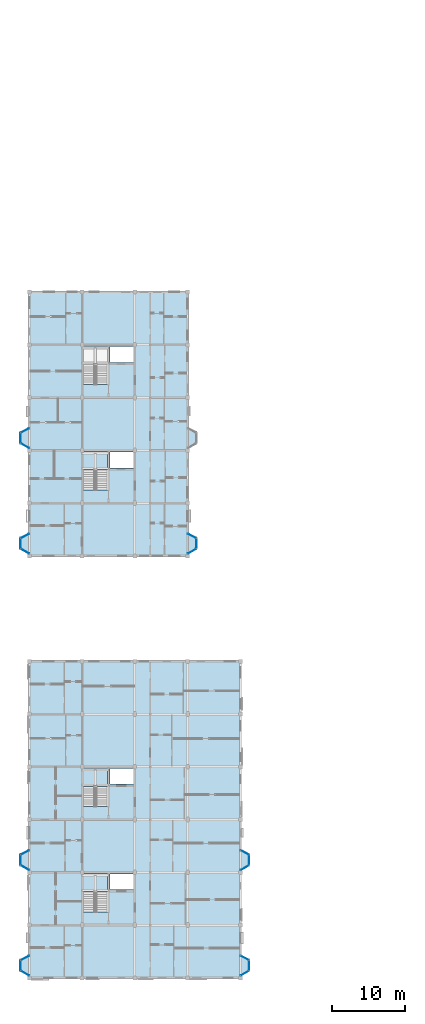
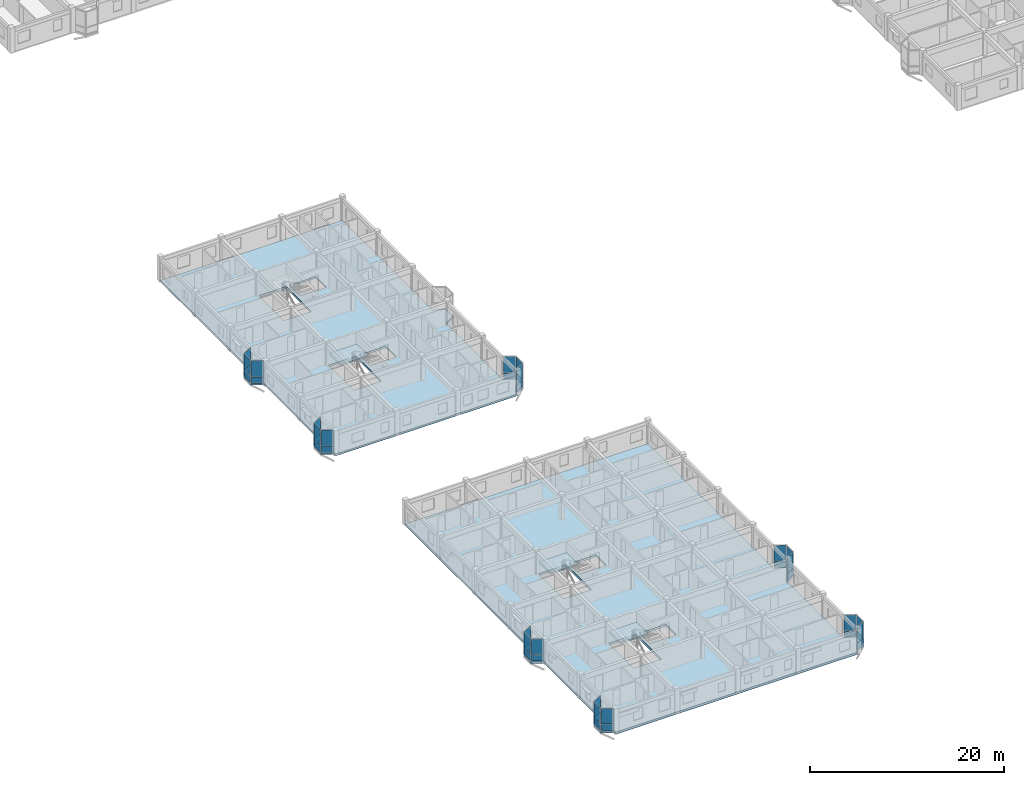
# One storey, part 46 of 77: 42 plates, 5 slabs, 24 elements without a shape of their own.
"""IFC4 building model written with IfcOpenShell, lengths in metres."""

from ifc_helpers import new_model, si_unit, direction, frame, origin, origin_2d, place, context, subcontext, project, spatial, polyline, rectangle, outline, extrude, material, layer, layer_set, type_object, element, aggregate, save


model = new_model("IFC4")

# Units and contexts
model_context = context("Model", 3, precision=1e-05, world=origin(), true_north=direction((0.0, 1.0)))
body_context = subcontext(model_context, "Body", "Model", "MODEL_VIEW")
ifc_project = project(units=[si_unit("LENGTHUNIT", "METRE"), si_unit("AREAUNIT", "SQUARE_METRE"), si_unit("VOLUMEUNIT", "CUBIC_METRE"), si_unit("PLANEANGLEUNIT", "RADIAN"), si_unit("MASSUNIT", "GRAM", prefix="KILO"), si_unit("THERMODYNAMICTEMPERATUREUNIT", "KELVIN"), si_unit("POWERUNIT", "WATT")], contexts=[model_context])

# Site, building, storey
site_placement = place(None, origin())
site = spatial("IfcSite", under=ifc_project, at=site_placement, CompositionType="ELEMENT")
building_placement = place(site_placement, origin())
building = spatial("IfcBuilding", under=site, at=building_placement, Name="Tavuni Mirador Residences", CompositionType="ELEMENT")
storey_placement = place(building_placement, frame((0.0, 0.0, 10.800048828125)))
storey = spatial("IfcBuildingStorey", under=building, at=storey_placement, Name="L03", CompositionType="ELEMENT", Elevation=10.800048828125)

# Curtain wall, plate
ifc_material_1 = material(Name="Anodised aluminium", Category="aluminium")
ifc_layer_1 = layer(ifc_material_1, 0.1650390625, Name="Anodised aluminium", Category="aluminium")
ifc_layer_set_1 = layer_set([ifc_layer_1], Name="Anodised aluminium")
curtain_wall_type_1 = type_object("IfcCurtainWallType", Name="CWT-MIR-A", PredefinedType="NOTDEFINED", material=ifc_layer_set_1)
curtain_wall_1_placement = place(storey_placement, origin())
curtain_wall_1 = element("IfcCurtainWall", 1, at=curtain_wall_1_placement, inside=storey, type_object=curtain_wall_type_1, Name="CW-MIR-A-E2-L03-M1", PredefinedType="NOTDEFINED")
ifc_material_2 = material(Name="Laminated solar-control glass", Category="glass")
ifc_layer_2 = layer(ifc_material_2, 0.02392578125, Name="Laminated solar-control glass", Category="glass")
ifc_layer_set_2 = layer_set([ifc_layer_2], Name="Laminated solar-control glass")
plate_type_1 = type_object("IfcPlateType", Name="CWP-GL24", PredefinedType="CURTAIN_PANEL", material=ifc_layer_set_2)
plate_1_placement = place(storey_placement, frame((33.0, 22.217529296875, 0.8798828125), z_axis=(0.0, 0.0, 1.0), x_axis=(0.868465738194, 0.495749192217, 0.0)))
plate_1 = element("IfcPlate", 2, at=plate_1_placement, type_object=plate_type_1, Name="CW-01 panel 1.2", PredefinedType="CURTAIN_PANEL", context=body_context, shape_type="SweptSolid", body=[
    extrude(rectangle(XDim=1.26171875, YDim=0.02392578125, at=origin_2d()), origin(), (0.0, 0.0, 1.0), 1.929931640625),
])

curtain_wall_2_placement = place(storey_placement, origin())
curtain_wall_2 = element("IfcCurtainWall", 3, at=curtain_wall_2_placement, inside=storey, type_object=curtain_wall_type_1, Name="CW-MIR-A-W2-L03-MF", PredefinedType="NOTDEFINED")
plate_2_placement = place(storey_placement, frame((2.39990234375, 23.27001953125, 0.8798828125), z_axis=(0.0, 0.0, 1.0), x_axis=(0.0, -1.0, 0.0)))
plate_2 = element("IfcPlate", 4, at=plate_2_placement, type_object=plate_type_1, Name="CW-01 panel 1.2", PredefinedType="CURTAIN_PANEL", context=body_context, shape_type="SweptSolid", body=[
    extrude(rectangle(XDim=1.300048828125, YDim=0.02392578125, at=origin_2d()), origin(), (0.0, 0.0, 1.0), 1.929931640625),
])

curtain_wall_3_placement = place(storey_placement, origin())
curtain_wall_3 = element("IfcCurtainWall", 5, at=curtain_wall_3_placement, inside=storey, type_object=curtain_wall_type_1, Name="CW-MIR-A-W1-L03-M2", PredefinedType="NOTDEFINED")
plate_3_placement = place(storey_placement, frame((3.0, 7.8173828125, 0.8798828125), z_axis=(0.0, 0.0, 1.0), x_axis=(0.868465738194, -0.495749192217, 0.0)))
plate_3 = element("IfcPlate", 6, at=plate_3_placement, type_object=plate_type_1, Name="CW-01 panel 1.2", PredefinedType="CURTAIN_PANEL", context=body_context, shape_type="SweptSolid", body=[
    extrude(rectangle(XDim=1.26171875, YDim=0.02392578125, at=origin_2d()), origin(), (0.0, 0.0, 1.0), 1.929931640625),
])

curtain_wall_4_placement = place(storey_placement, origin())
curtain_wall_4 = element("IfcCurtainWall", 7, at=curtain_wall_4_placement, inside=storey, type_object=curtain_wall_type_1, Name="CW-MIR-B-E1-L03-M1", PredefinedType="NOTDEFINED")
plate_4_placement = place(storey_placement, frame((25.800048828125, 65.41748046875, 0.8798828125), z_axis=(0.0, 0.0, 1.0), x_axis=(0.868465738194, 0.495749192217, 0.0)))
plate_4 = element("IfcPlate", 8, at=plate_4_placement, type_object=plate_type_1, Name="CW-01 panel 1.2", PredefinedType="CURTAIN_PANEL", context=body_context, shape_type="SweptSolid", body=[
    extrude(rectangle(XDim=1.26171875, YDim=0.02392578125, at=origin_2d()), origin(), (0.0, 0.0, 1.0), 1.969970703125),
])

curtain_wall_5_placement = place(storey_placement, origin())
curtain_wall_5 = element("IfcCurtainWall", 9, at=curtain_wall_5_placement, inside=storey, type_object=curtain_wall_type_1, Name="CW-MIR-B-W2-L03-M2", PredefinedType="NOTDEFINED")
plate_5_placement = place(storey_placement, frame((3.0, 79.8173828125, 0.8798828125), z_axis=(0.0, 0.0, 1.0), x_axis=(0.868465738194, -0.495749192217, 0.0)))
plate_5 = element("IfcPlate", 10, at=plate_5_placement, type_object=plate_type_1, Name="CW-01 panel 1.2", PredefinedType="CURTAIN_PANEL", context=body_context, shape_type="SweptSolid", body=[
    extrude(rectangle(XDim=1.26171875, YDim=0.02392578125, at=origin_2d()), origin(), (0.0, 0.0, 1.0), 1.969970703125),
])

ifc_layer_3 = layer(ifc_material_1, 0.14990234375, Name="Anodised aluminium", Category="aluminium")
ifc_layer_set_3 = layer_set([ifc_layer_3], Name="Anodised aluminium")
curtain_wall_type_2 = type_object("IfcCurtainWallType", Name="CWT-MIR-B", PredefinedType="NOTDEFINED", material=ifc_layer_set_3)
curtain_wall_6_placement = place(storey_placement, origin())
curtain_wall_6 = element("IfcCurtainWall", 11, at=curtain_wall_6_placement, inside=storey, type_object=curtain_wall_type_2, Name="CW-MIR-A-E1-L03-M1", PredefinedType="NOTDEFINED")
ifc_layer_4 = layer(ifc_material_2, 0.028076171875, Name="Laminated solar-control glass", Category="glass")
ifc_layer_set_4 = layer_set([ifc_layer_4], Name="Laminated solar-control glass")
plate_type_2 = type_object("IfcPlateType", Name="CWP-GL28", PredefinedType="CURTAIN_PANEL", material=ifc_layer_set_4)
plate_6_placement = place(storey_placement, frame((33.0, 7.8173828125, 0.88232421875), z_axis=(0.0, 0.0, 1.0), x_axis=(0.868465738194, 0.495749192217, 0.0)))
plate_6 = element("IfcPlate", 12, at=plate_6_placement, type_object=plate_type_2, Name="CW-02 panel 1.2", PredefinedType="CURTAIN_PANEL", context=body_context, shape_type="SweptSolid", body=[
    extrude(rectangle(XDim=1.251708984375, YDim=0.028076171875, at=origin_2d()), origin(), (0.0, 0.0, 1.0), 1.922607421875),
])

curtain_wall_7_placement = place(storey_placement, origin())
curtain_wall_7 = element("IfcCurtainWall", 13, at=curtain_wall_7_placement, inside=storey, type_object=curtain_wall_type_2, Name="CW-MIR-A-E2-L03-MF", PredefinedType="NOTDEFINED")
plate_7_placement = place(storey_placement, frame((33.60009765625, 23.27001953125, 0.88232421875), z_axis=(0.0, 0.0, 1.0), x_axis=(0.0, 1.0, 0.0)))
plate_7 = element("IfcPlate", 14, at=plate_7_placement, type_object=plate_type_2, Name="CW-02 panel 1.2", PredefinedType="CURTAIN_PANEL", context=body_context, shape_type="SweptSolid", body=[
    extrude(rectangle(XDim=1.2900390625, YDim=0.028076171875, at=origin_2d()), origin(), (0.0, 0.0, 1.0), 1.922607421875),
])

curtain_wall_8_placement = place(storey_placement, origin())
curtain_wall_8 = element("IfcCurtainWall", 15, at=curtain_wall_8_placement, inside=storey, type_object=curtain_wall_type_2, Name="CW-MIR-A-W2-L03-M2", PredefinedType="NOTDEFINED")
plate_8_placement = place(storey_placement, frame((3.0, 22.217529296875, 0.88232421875), z_axis=(0.0, 0.0, 1.0), x_axis=(0.868465738194, -0.495749192217, 0.0)))
plate_8 = element("IfcPlate", 16, at=plate_8_placement, type_object=plate_type_2, Name="CW-02 panel 1.2", PredefinedType="CURTAIN_PANEL", context=body_context, shape_type="SweptSolid", body=[
    extrude(rectangle(XDim=1.251708984375, YDim=0.028076171875, at=origin_2d()), origin(), (0.0, 0.0, 1.0), 1.922607421875),
])

curtain_wall_9_placement = place(storey_placement, origin())
curtain_wall_9 = element("IfcCurtainWall", 17, at=curtain_wall_9_placement, inside=storey, type_object=curtain_wall_type_2, Name="CW-MIR-B-E1-L03-MF", PredefinedType="NOTDEFINED")
plate_9_placement = place(storey_placement, frame((26.39990234375, 66.469970703125, 0.882568359375), z_axis=(0.0, 0.0, 1.0), x_axis=(0.0, 1.0, 0.0)))
plate_9 = element("IfcPlate", 18, at=plate_9_placement, type_object=plate_type_2, Name="CW-02 panel 1.2", PredefinedType="CURTAIN_PANEL", context=body_context, shape_type="SweptSolid", body=[
    extrude(rectangle(XDim=1.2900390625, YDim=0.028076171875, at=origin_2d()), origin(), (0.0, 0.0, 1.0), 1.96240234375),
])

curtain_wall_10_placement = place(storey_placement, origin())
curtain_wall_10 = element("IfcCurtainWall", 19, at=curtain_wall_10_placement, inside=storey, type_object=curtain_wall_type_2, Name="CW-MIR-B-W1-L03-M1", PredefinedType="NOTDEFINED")
plate_10_placement = place(storey_placement, frame((3.0, 67.5, 0.882568359375), z_axis=(0.0, 0.0, 1.0), x_axis=(-0.882352941175, -0.470588235296, 0.0)))
plate_10 = element("IfcPlate", 20, at=plate_10_placement, type_object=plate_type_2, Name="CW-02 panel 1.2", PredefinedType="CURTAIN_PANEL", context=body_context, shape_type="SweptSolid", body=[
    extrude(rectangle(XDim=1.22998046875, YDim=0.028076171875, at=origin_2d()), origin(), (0.0, 0.0, 1.0), 1.96240234375),
])

ifc_layer_5 = layer(ifc_material_1, 0.175048828125, Name="Anodised aluminium", Category="aluminium")
ifc_layer_set_5 = layer_set([ifc_layer_5], Name="Anodised aluminium")
curtain_wall_type_3 = type_object("IfcCurtainWallType", Name="CWT-MIR-C", PredefinedType="NOTDEFINED", material=ifc_layer_set_5)
curtain_wall_11_placement = place(storey_placement, origin())
curtain_wall_11 = element("IfcCurtainWall", 21, at=curtain_wall_11_placement, inside=storey, type_object=curtain_wall_type_3, Name="CW-MIR-A-E1-L03-MF", PredefinedType="NOTDEFINED")
ifc_layer_6 = layer(ifc_material_2, 0.031982421875, Name="Laminated solar-control glass", Category="glass")
ifc_layer_set_6 = layer_set([ifc_layer_6], Name="Laminated solar-control glass")
plate_type_3 = type_object("IfcPlateType", Name="CWP-GL32", PredefinedType="CURTAIN_PANEL", material=ifc_layer_set_6)
plate_11_placement = place(storey_placement, frame((33.60009765625, 8.8701171875, 0.8798828125), z_axis=(0.0, 0.0, 1.0), x_axis=(0.0, 1.0, 0.0)))
plate_11 = element("IfcPlate", 22, at=plate_11_placement, type_object=plate_type_3, Name="CW-03 panel 1.2", PredefinedType="CURTAIN_PANEL", context=body_context, shape_type="SweptSolid", body=[
    extrude(rectangle(XDim=1.300048828125, YDim=0.031982421875, at=origin_2d()), origin(), (0.0, 0.0, 1.0), 1.929931640625),
])

curtain_wall_12_placement = place(storey_placement, origin())
curtain_wall_12 = element("IfcCurtainWall", 23, at=curtain_wall_12_placement, inside=storey, type_object=curtain_wall_type_3, Name="CW-MIR-A-E2-L03-M2", PredefinedType="NOTDEFINED")
plate_12_placement = place(storey_placement, frame((33.0, 24.300048828125, 0.8798828125), z_axis=(0.0, 0.0, 1.0), x_axis=(-0.882352941175, 0.470588235296, 0.0)))
plate_12 = element("IfcPlate", 24, at=plate_12_placement, type_object=plate_type_3, Name="CW-03 panel 1.2", PredefinedType="CURTAIN_PANEL", context=body_context, shape_type="SweptSolid", body=[
    extrude(rectangle(XDim=1.239990234375, YDim=0.031982421875, at=origin_2d()), origin(), (0.0, 0.0, 1.0), 1.929931640625),
])

curtain_wall_13_placement = place(storey_placement, origin())
curtain_wall_13 = element("IfcCurtainWall", 25, at=curtain_wall_13_placement, inside=storey, type_object=curtain_wall_type_3, Name="CW-MIR-A-W1-L03-M1", PredefinedType="NOTDEFINED")
plate_13_placement = place(storey_placement, frame((3.0, 9.89990234375, 0.8798828125), z_axis=(0.0, 0.0, 1.0), x_axis=(-0.882352941175, -0.470588235296, 0.0)))
plate_13 = element("IfcPlate", 26, at=plate_13_placement, type_object=plate_type_3, Name="CW-03 panel 1.2", PredefinedType="CURTAIN_PANEL", context=body_context, shape_type="SweptSolid", body=[
    extrude(rectangle(XDim=1.239990234375, YDim=0.031982421875, at=origin_2d()), origin(), (0.0, 0.0, 1.0), 1.929931640625),
])

curtain_wall_14_placement = place(storey_placement, origin())
curtain_wall_14 = element("IfcCurtainWall", 27, at=curtain_wall_14_placement, inside=storey, type_object=curtain_wall_type_3, Name="CW-MIR-B-E1-L03-M2", PredefinedType="NOTDEFINED")
plate_14_placement = place(storey_placement, frame((25.800048828125, 67.5, 0.8798828125), z_axis=(0.0, 0.0, 1.0), x_axis=(-0.882352941175, 0.470588235296, 0.0)))
plate_14 = element("IfcPlate", 28, at=plate_14_placement, type_object=plate_type_3, Name="CW-03 panel 1.2", PredefinedType="CURTAIN_PANEL", context=body_context, shape_type="SweptSolid", body=[
    extrude(rectangle(XDim=1.239990234375, YDim=0.031982421875, at=origin_2d()), origin(), (0.0, 0.0, 1.0), 1.969970703125),
])

curtain_wall_15_placement = place(storey_placement, origin())
curtain_wall_15 = element("IfcCurtainWall", 29, at=curtain_wall_15_placement, inside=storey, type_object=curtain_wall_type_3, Name="CW-MIR-B-W2-L03-M1", PredefinedType="NOTDEFINED")
plate_15_placement = place(storey_placement, frame((3.0, 81.89990234375, 0.8798828125), z_axis=(0.0, 0.0, 1.0), x_axis=(-0.882352941175, -0.470588235296, 0.0)))
plate_15 = element("IfcPlate", 30, at=plate_15_placement, type_object=plate_type_3, Name="CW-03 panel 1.2", PredefinedType="CURTAIN_PANEL", context=body_context, shape_type="SweptSolid", body=[
    extrude(rectangle(XDim=1.239990234375, YDim=0.031982421875, at=origin_2d()), origin(), (0.0, 0.0, 1.0), 1.969970703125),
])

curtain_wall_16_placement = place(storey_placement, origin())
curtain_wall_16 = element("IfcCurtainWall", 31, at=curtain_wall_16_placement, inside=storey, type_object=curtain_wall_type_3, Name="CW-MIR-B-W1-L03-MF", PredefinedType="NOTDEFINED")
plate_16_placement = place(storey_placement, frame((2.39990234375, 66.469970703125, 0.8798828125), z_axis=(0.0, 0.0, 1.0), x_axis=(0.0, -1.0, 0.0)))
plate_16 = element("IfcPlate", 32, at=plate_16_placement, type_object=plate_type_3, Name="CW-03 panel 1.2", PredefinedType="CURTAIN_PANEL", context=body_context, shape_type="SweptSolid", body=[
    extrude(rectangle(XDim=1.300048828125, YDim=0.031982421875, at=origin_2d()), origin(), (0.0, 0.0, 1.0), 1.969970703125),
])

ifc_layer_7 = layer(ifc_material_1, 0.159912109375, Name="Anodised aluminium", Category="aluminium")
ifc_layer_set_7 = layer_set([ifc_layer_7], Name="Anodised aluminium")
curtain_wall_type_4 = type_object("IfcCurtainWallType", Name="CWT-MIR-D", PredefinedType="NOTDEFINED", material=ifc_layer_set_7)
curtain_wall_17_placement = place(storey_placement, origin())
curtain_wall_17 = element("IfcCurtainWall", 33, at=curtain_wall_17_placement, inside=storey, type_object=curtain_wall_type_4, Name="CW-MIR-A-E1-L03-M2", PredefinedType="NOTDEFINED")
ifc_layer_8 = layer(ifc_material_2, 0.035888671875, Name="Laminated solar-control glass", Category="glass")
ifc_layer_set_8 = layer_set([ifc_layer_8], Name="Laminated solar-control glass")
plate_type_4 = type_object("IfcPlateType", Name="CWP-GL36", PredefinedType="CURTAIN_PANEL", material=ifc_layer_set_8)
plate_17_placement = place(storey_placement, frame((33.0, 9.89990234375, 0.88232421875), z_axis=(0.0, 0.0, 1.0), x_axis=(-0.882352941175, 0.470588235296, 0.0)))
plate_17 = element("IfcPlate", 34, at=plate_17_placement, type_object=plate_type_4, Name="CW-04 panel 1.2", PredefinedType="CURTAIN_PANEL", context=body_context, shape_type="SweptSolid", body=[
    extrude(rectangle(XDim=1.22998046875, YDim=0.035888671875, at=origin_2d()), origin(), (0.0, 0.0, 1.0), 1.922607421875),
])

curtain_wall_18_placement = place(storey_placement, origin())
curtain_wall_18 = element("IfcCurtainWall", 35, at=curtain_wall_18_placement, inside=storey, type_object=curtain_wall_type_4, Name="CW-MIR-A-W2-L03-M1", PredefinedType="NOTDEFINED")
plate_18_placement = place(storey_placement, frame((3.0, 24.300048828125, 0.88232421875), z_axis=(0.0, 0.0, 1.0), x_axis=(-0.882352941175, -0.470588235296, 0.0)))
plate_18 = element("IfcPlate", 36, at=plate_18_placement, type_object=plate_type_4, Name="CW-04 panel 1.2", PredefinedType="CURTAIN_PANEL", context=body_context, shape_type="SweptSolid", body=[
    extrude(rectangle(XDim=1.22998046875, YDim=0.035888671875, at=origin_2d()), origin(), (0.0, 0.0, 1.0), 1.922607421875),
])

curtain_wall_19_placement = place(storey_placement, origin())
curtain_wall_19 = element("IfcCurtainWall", 37, at=curtain_wall_19_placement, inside=storey, type_object=curtain_wall_type_4, Name="CW-MIR-A-W1-L03-MF", PredefinedType="NOTDEFINED")
plate_19_placement = place(storey_placement, frame((2.39990234375, 8.8701171875, 0.88232421875), z_axis=(0.0, 0.0, 1.0), x_axis=(0.0, -1.0, 0.0)))
plate_19 = element("IfcPlate", 38, at=plate_19_placement, type_object=plate_type_4, Name="CW-04 panel 1.2", PredefinedType="CURTAIN_PANEL", context=body_context, shape_type="SweptSolid", body=[
    extrude(rectangle(XDim=1.2900390625, YDim=0.035888671875, at=origin_2d()), origin(), (0.0, 0.0, 1.0), 1.922607421875),
])

curtain_wall_20_placement = place(storey_placement, origin())
curtain_wall_20 = element("IfcCurtainWall", 39, at=curtain_wall_20_placement, inside=storey, type_object=curtain_wall_type_4, Name="CW-MIR-B-W2-L03-MF", PredefinedType="NOTDEFINED")
plate_20_placement = place(storey_placement, frame((2.39990234375, 80.8701171875, 0.882568359375), z_axis=(0.0, 0.0, 1.0), x_axis=(0.0, -1.0, 0.0)))
plate_20 = element("IfcPlate", 40, at=plate_20_placement, type_object=plate_type_4, Name="CW-04 panel 1.2", PredefinedType="CURTAIN_PANEL", context=body_context, shape_type="SweptSolid", body=[
    extrude(rectangle(XDim=1.2900390625, YDim=0.035888671875, at=origin_2d()), origin(), (0.0, 0.0, 1.0), 1.96240234375),
])

curtain_wall_21_placement = place(storey_placement, origin())
curtain_wall_21 = element("IfcCurtainWall", 41, at=curtain_wall_21_placement, inside=storey, type_object=curtain_wall_type_4, Name="CW-MIR-B-W1-L03-M2", PredefinedType="NOTDEFINED")
plate_21_placement = place(storey_placement, frame((3.0, 65.41748046875, 0.882568359375), z_axis=(0.0, 0.0, 1.0), x_axis=(0.868465738194, -0.495749192217, 0.0)))
plate_21 = element("IfcPlate", 42, at=plate_21_placement, type_object=plate_type_4, Name="CW-04 panel 1.2", PredefinedType="CURTAIN_PANEL", context=body_context, shape_type="SweptSolid", body=[
    extrude(rectangle(XDim=1.251708984375, YDim=0.035888671875, at=origin_2d()), origin(), (0.0, 0.0, 1.0), 1.96240234375),
])

# Plate
ifc_material_3 = material(Name="Ceramic trencadis mosaic panel", Category="masonry")
ifc_layer_9 = layer(ifc_material_3, 0.0419921875, Name="Ceramic trencadis mosaic panel", Category="masonry")
ifc_layer_set_9 = layer_set([ifc_layer_9], Name="Ceramic trencadis mosaic panel")
plate_type_5 = type_object("IfcPlateType", Name="CWP-SP42", PredefinedType="CURTAIN_PANEL", material=ifc_layer_set_9)
plate_22_placement = place(storey_placement, frame((33.60009765625, 8.8701171875, 0.06005859375), z_axis=(0.0, 0.0, 1.0), x_axis=(0.0, 1.0, 0.0)))
plate_22 = element("IfcPlate", 43, at=plate_22_placement, type_object=plate_type_5, Name="CW-03 panel 1.1", PredefinedType="CURTAIN_PANEL", context=body_context, shape_type="SweptSolid", body=[
    extrude(rectangle(XDim=1.300048828125, YDim=0.0419921875, at=origin_2d()), origin(), (0.0, 0.0, 1.0), 0.760009765625),
])

aggregate(curtain_wall_11, [plate_22, plate_11])

plate_23_placement = place(storey_placement, frame((33.0, 22.217529296875, 0.06005859375), z_axis=(0.0, 0.0, 1.0), x_axis=(0.868465738194, 0.495749192217, 0.0)))
plate_23 = element("IfcPlate", 44, at=plate_23_placement, type_object=plate_type_5, Name="CW-01 panel 1.1", PredefinedType="CURTAIN_PANEL", context=body_context, shape_type="SweptSolid", body=[
    extrude(rectangle(XDim=1.26171875, YDim=0.0419921875, at=origin_2d()), origin(), (0.0, 0.0, 1.0), 0.760009765625),
])

aggregate(curtain_wall_1, [plate_23, plate_1])

plate_24_placement = place(storey_placement, frame((33.0, 24.300048828125, 0.06005859375), z_axis=(0.0, 0.0, 1.0), x_axis=(-0.882352941175, 0.470588235296, 0.0)))
plate_24 = element("IfcPlate", 45, at=plate_24_placement, type_object=plate_type_5, Name="CW-03 panel 1.1", PredefinedType="CURTAIN_PANEL", context=body_context, shape_type="SweptSolid", body=[
    extrude(rectangle(XDim=1.239990234375, YDim=0.0419921875, at=origin_2d()), origin(), (0.0, 0.0, 1.0), 0.760009765625),
])

aggregate(curtain_wall_12, [plate_24, plate_12])

plate_25_placement = place(storey_placement, frame((2.39990234375, 23.27001953125, 0.06005859375), z_axis=(0.0, 0.0, 1.0), x_axis=(0.0, -1.0, 0.0)))
plate_25 = element("IfcPlate", 46, at=plate_25_placement, type_object=plate_type_5, Name="CW-01 panel 1.1", PredefinedType="CURTAIN_PANEL", context=body_context, shape_type="SweptSolid", body=[
    extrude(rectangle(XDim=1.300048828125, YDim=0.0419921875, at=origin_2d()), origin(), (0.0, 0.0, 1.0), 0.760009765625),
])

aggregate(curtain_wall_2, [plate_25, plate_2])

plate_26_placement = place(storey_placement, frame((3.0, 9.89990234375, 0.06005859375), z_axis=(0.0, 0.0, 1.0), x_axis=(-0.882352941175, -0.470588235296, 0.0)))
plate_26 = element("IfcPlate", 47, at=plate_26_placement, type_object=plate_type_5, Name="CW-03 panel 1.1", PredefinedType="CURTAIN_PANEL", context=body_context, shape_type="SweptSolid", body=[
    extrude(rectangle(XDim=1.239990234375, YDim=0.0419921875, at=origin_2d()), origin(), (0.0, 0.0, 1.0), 0.760009765625),
])

aggregate(curtain_wall_13, [plate_26, plate_13])

plate_27_placement = place(storey_placement, frame((3.0, 7.8173828125, 0.06005859375), z_axis=(0.0, 0.0, 1.0), x_axis=(0.868465738194, -0.495749192217, 0.0)))
plate_27 = element("IfcPlate", 48, at=plate_27_placement, type_object=plate_type_5, Name="CW-01 panel 1.1", PredefinedType="CURTAIN_PANEL", context=body_context, shape_type="SweptSolid", body=[
    extrude(rectangle(XDim=1.26171875, YDim=0.0419921875, at=origin_2d()), origin(), (0.0, 0.0, 1.0), 0.760009765625),
])

aggregate(curtain_wall_3, [plate_27, plate_3])

plate_28_placement = place(storey_placement, frame((25.800048828125, 65.41748046875, 0.06005859375), z_axis=(0.0, 0.0, 1.0), x_axis=(0.868465738194, 0.495749192217, 0.0)))
plate_28 = element("IfcPlate", 49, at=plate_28_placement, type_object=plate_type_5, Name="CW-01 panel 1.1", PredefinedType="CURTAIN_PANEL", context=body_context, shape_type="SweptSolid", body=[
    extrude(rectangle(XDim=1.26171875, YDim=0.0419921875, at=origin_2d()), origin(), (0.0, 0.0, 1.0), 0.760009765625),
])

aggregate(curtain_wall_4, [plate_28, plate_4])

plate_29_placement = place(storey_placement, frame((25.800048828125, 67.5, 0.06005859375), z_axis=(0.0, 0.0, 1.0), x_axis=(-0.882352941175, 0.470588235296, 0.0)))
plate_29 = element("IfcPlate", 50, at=plate_29_placement, type_object=plate_type_5, Name="CW-03 panel 1.1", PredefinedType="CURTAIN_PANEL", context=body_context, shape_type="SweptSolid", body=[
    extrude(rectangle(XDim=1.239990234375, YDim=0.0419921875, at=origin_2d()), origin(), (0.0, 0.0, 1.0), 0.760009765625),
])

aggregate(curtain_wall_14, [plate_29, plate_14])

plate_30_placement = place(storey_placement, frame((3.0, 81.89990234375, 0.06005859375), z_axis=(0.0, 0.0, 1.0), x_axis=(-0.882352941175, -0.470588235296, 0.0)))
plate_30 = element("IfcPlate", 51, at=plate_30_placement, type_object=plate_type_5, Name="CW-03 panel 1.1", PredefinedType="CURTAIN_PANEL", context=body_context, shape_type="SweptSolid", body=[
    extrude(rectangle(XDim=1.239990234375, YDim=0.0419921875, at=origin_2d()), origin(), (0.0, 0.0, 1.0), 0.760009765625),
])

aggregate(curtain_wall_15, [plate_30, plate_15])

plate_31_placement = place(storey_placement, frame((3.0, 79.8173828125, 0.06005859375), z_axis=(0.0, 0.0, 1.0), x_axis=(0.868465738194, -0.495749192217, 0.0)))
plate_31 = element("IfcPlate", 52, at=plate_31_placement, type_object=plate_type_5, Name="CW-01 panel 1.1", PredefinedType="CURTAIN_PANEL", context=body_context, shape_type="SweptSolid", body=[
    extrude(rectangle(XDim=1.26171875, YDim=0.0419921875, at=origin_2d()), origin(), (0.0, 0.0, 1.0), 0.760009765625),
])

aggregate(curtain_wall_5, [plate_31, plate_5])

plate_32_placement = place(storey_placement, frame((2.39990234375, 66.469970703125, 0.06005859375), z_axis=(0.0, 0.0, 1.0), x_axis=(0.0, -1.0, 0.0)))
plate_32 = element("IfcPlate", 53, at=plate_32_placement, type_object=plate_type_5, Name="CW-03 panel 1.1", PredefinedType="CURTAIN_PANEL", context=body_context, shape_type="SweptSolid", body=[
    extrude(rectangle(XDim=1.300048828125, YDim=0.0419921875, at=origin_2d()), origin(), (0.0, 0.0, 1.0), 0.760009765625),
])

aggregate(curtain_wall_16, [plate_32, plate_16])

ifc_layer_10 = layer(ifc_material_3, 0.048095703125, Name="Ceramic trencadis mosaic panel", Category="masonry")
ifc_layer_set_10 = layer_set([ifc_layer_10], Name="Ceramic trencadis mosaic panel")
plate_type_6 = type_object("IfcPlateType", Name="CWP-SP48", PredefinedType="CURTAIN_PANEL", material=ifc_layer_set_10)
plate_33_placement = place(storey_placement, frame((33.0, 7.8173828125, 0.06494140625), z_axis=(0.0, 0.0, 1.0), x_axis=(0.868465738194, 0.495749192217, 0.0)))
plate_33 = element("IfcPlate", 54, at=plate_33_placement, type_object=plate_type_6, Name="CW-02 panel 1.1", PredefinedType="CURTAIN_PANEL", context=body_context, shape_type="SweptSolid", body=[
    extrude(rectangle(XDim=1.251708984375, YDim=0.048095703125, at=origin_2d()), origin(), (0.0, 0.0, 1.0), 0.75244140625),
])

aggregate(curtain_wall_6, [plate_33, plate_6])

plate_34_placement = place(storey_placement, frame((33.0, 9.89990234375, 0.06494140625), z_axis=(0.0, 0.0, 1.0), x_axis=(-0.882352941175, 0.470588235296, 0.0)))
plate_34 = element("IfcPlate", 55, at=plate_34_placement, type_object=plate_type_6, Name="CW-04 panel 1.1", PredefinedType="CURTAIN_PANEL", context=body_context, shape_type="SweptSolid", body=[
    extrude(rectangle(XDim=1.22998046875, YDim=0.048095703125, at=origin_2d()), origin(), (0.0, 0.0, 1.0), 0.75244140625),
])

aggregate(curtain_wall_17, [plate_34, plate_17])

plate_35_placement = place(storey_placement, frame((33.60009765625, 23.27001953125, 0.06494140625), z_axis=(0.0, 0.0, 1.0), x_axis=(0.0, 1.0, 0.0)))
plate_35 = element("IfcPlate", 56, at=plate_35_placement, type_object=plate_type_6, Name="CW-02 panel 1.1", PredefinedType="CURTAIN_PANEL", context=body_context, shape_type="SweptSolid", body=[
    extrude(rectangle(XDim=1.2900390625, YDim=0.048095703125, at=origin_2d()), origin(), (0.0, 0.0, 1.0), 0.75244140625),
])

aggregate(curtain_wall_7, [plate_35, plate_7])

plate_36_placement = place(storey_placement, frame((3.0, 24.300048828125, 0.06494140625), z_axis=(0.0, 0.0, 1.0), x_axis=(-0.882352941175, -0.470588235296, 0.0)))
plate_36 = element("IfcPlate", 57, at=plate_36_placement, type_object=plate_type_6, Name="CW-04 panel 1.1", PredefinedType="CURTAIN_PANEL", context=body_context, shape_type="SweptSolid", body=[
    extrude(rectangle(XDim=1.22998046875, YDim=0.048095703125, at=origin_2d()), origin(), (0.0, 0.0, 1.0), 0.75244140625),
])

aggregate(curtain_wall_18, [plate_36, plate_18])

plate_37_placement = place(storey_placement, frame((3.0, 22.217529296875, 0.06494140625), z_axis=(0.0, 0.0, 1.0), x_axis=(0.868465738194, -0.495749192217, 0.0)))
plate_37 = element("IfcPlate", 58, at=plate_37_placement, type_object=plate_type_6, Name="CW-02 panel 1.1", PredefinedType="CURTAIN_PANEL", context=body_context, shape_type="SweptSolid", body=[
    extrude(rectangle(XDim=1.251708984375, YDim=0.048095703125, at=origin_2d()), origin(), (0.0, 0.0, 1.0), 0.75244140625),
])

aggregate(curtain_wall_8, [plate_37, plate_8])

plate_38_placement = place(storey_placement, frame((2.39990234375, 8.8701171875, 0.06494140625), z_axis=(0.0, 0.0, 1.0), x_axis=(0.0, -1.0, 0.0)))
plate_38 = element("IfcPlate", 59, at=plate_38_placement, type_object=plate_type_6, Name="CW-04 panel 1.1", PredefinedType="CURTAIN_PANEL", context=body_context, shape_type="SweptSolid", body=[
    extrude(rectangle(XDim=1.2900390625, YDim=0.048095703125, at=origin_2d()), origin(), (0.0, 0.0, 1.0), 0.75244140625),
])

aggregate(curtain_wall_19, [plate_38, plate_19])

plate_39_placement = place(storey_placement, frame((26.39990234375, 66.469970703125, 0.06494140625), z_axis=(0.0, 0.0, 1.0), x_axis=(0.0, 1.0, 0.0)))
plate_39 = element("IfcPlate", 60, at=plate_39_placement, type_object=plate_type_6, Name="CW-02 panel 1.1", PredefinedType="CURTAIN_PANEL", context=body_context, shape_type="SweptSolid", body=[
    extrude(rectangle(XDim=1.2900390625, YDim=0.048095703125, at=origin_2d()), origin(), (0.0, 0.0, 1.0), 0.75244140625),
])

aggregate(curtain_wall_9, [plate_39, plate_9])

plate_40_placement = place(storey_placement, frame((2.39990234375, 80.8701171875, 0.06494140625), z_axis=(0.0, 0.0, 1.0), x_axis=(0.0, -1.0, 0.0)))
plate_40 = element("IfcPlate", 61, at=plate_40_placement, type_object=plate_type_6, Name="CW-04 panel 1.1", PredefinedType="CURTAIN_PANEL", context=body_context, shape_type="SweptSolid", body=[
    extrude(rectangle(XDim=1.2900390625, YDim=0.048095703125, at=origin_2d()), origin(), (0.0, 0.0, 1.0), 0.75244140625),
])

aggregate(curtain_wall_20, [plate_40, plate_20])

plate_41_placement = place(storey_placement, frame((3.0, 67.5, 0.06494140625), z_axis=(0.0, 0.0, 1.0), x_axis=(-0.882352941175, -0.470588235296, 0.0)))
plate_41 = element("IfcPlate", 62, at=plate_41_placement, type_object=plate_type_6, Name="CW-02 panel 1.1", PredefinedType="CURTAIN_PANEL", context=body_context, shape_type="SweptSolid", body=[
    extrude(rectangle(XDim=1.22998046875, YDim=0.048095703125, at=origin_2d()), origin(), (0.0, 0.0, 1.0), 0.75244140625),
])

aggregate(curtain_wall_10, [plate_41, plate_10])

plate_42_placement = place(storey_placement, frame((3.0, 65.41748046875, 0.06494140625), z_axis=(0.0, 0.0, 1.0), x_axis=(0.868465738194, -0.495749192217, 0.0)))
plate_42 = element("IfcPlate", 63, at=plate_42_placement, type_object=plate_type_6, Name="CW-04 panel 1.1", PredefinedType="CURTAIN_PANEL", context=body_context, shape_type="SweptSolid", body=[
    extrude(rectangle(XDim=1.251708984375, YDim=0.048095703125, at=origin_2d()), origin(), (0.0, 0.0, 1.0), 0.75244140625),
])

aggregate(curtain_wall_21, [plate_42, plate_21])

# Slabs
ifc_material_4 = material(Name="Prestressed concrete C45/55", Category="concrete")
ifc_layer_11 = layer(ifc_material_4, 0.239990234375, Name="Prestressed concrete C45/55", Category="concrete")
ifc_layer_set_11 = layer_set([ifc_layer_11], Name="Prestressed concrete C45/55")
slab_type_1 = type_object("IfcSlabType", Name="SLT-FLR240", PredefinedType="FLOOR", material=ifc_layer_set_11)
slab_1_placement = place(storey_placement, frame((0.0, 0.0, -0.239990234375)))
element("IfcSlab", 64, at=slab_1_placement, inside=storey, type_object=slab_type_1, Name="SLB-BLK-B-L03", PredefinedType="FLOOR", context=body_context, shape_type="SweptSolid", body=[
    extrude(outline(polyline([(3.60009765625, 64.800048828125), (25.199951171875, 64.800048828125), (25.199951171875, 65.074951171875), (26.39990234375, 65.760009765625), (26.39990234375, 67.179931640625), (25.199951171875, 67.820068359375), (25.199951171875, 79.47509765625), (26.39990234375, 80.159912109375), (26.39990234375, 81.580078125), (25.199951171875, 82.219970703125), (25.199951171875, 100.800048828125), (3.60009765625, 100.800048828125), (3.60009765625, 82.219970703125), (2.39990234375, 81.580078125), (2.39990234375, 80.159912109375), (3.60009765625, 79.47509765625), (3.60009765625, 67.820068359375), (2.39990234375, 67.179931640625), (2.39990234375, 65.760009765625), (3.60009765625, 65.074951171875), (3.60009765625, 64.800048828125)]), holes=[polyline([(10.9599609375, 73.80810546875), (14.239990234375, 73.80810546875), (14.239990234375, 78.9599609375), (10.9599609375, 78.9599609375), (10.9599609375, 73.80810546875)]), polyline([(14.6201171875, 76.820068359375), (17.780029296875, 76.820068359375), (17.780029296875, 78.97998046875), (14.6201171875, 78.97998046875), (14.6201171875, 76.820068359375)]), polyline([(10.9599609375, 88.2080078125), (14.239990234375, 88.2080078125), (14.239990234375, 93.360107421875), (10.9599609375, 93.360107421875), (10.9599609375, 88.2080078125)]), polyline([(14.6201171875, 91.219970703125), (17.780029296875, 91.219970703125), (17.780029296875, 93.3798828125), (14.6201171875, 93.3798828125), (14.6201171875, 91.219970703125)])]), origin(), (0.0, 0.0, 1.0), 0.239990234375),
])
ifc_layer_12 = layer(ifc_material_4, 0.280029296875, Name="Prestressed concrete C45/55", Category="concrete")
ifc_layer_set_12 = layer_set([ifc_layer_12], Name="Prestressed concrete C45/55")
slab_type_2 = type_object("IfcSlabType", Name="SLT-FLR280", PredefinedType="FLOOR", material=ifc_layer_set_12)
slab_2_placement = place(storey_placement, frame((0.0, 0.0, -0.280029296875)))
element("IfcSlab", 65, at=slab_2_placement, inside=storey, type_object=slab_type_2, Name="SLB-BLK-A-L03", PredefinedType="FLOOR", context=body_context, shape_type="SweptSolid", body=[
    extrude(outline(polyline([(3.60009765625, 7.199951171875), (32.39990234375, 7.199951171875), (32.39990234375, 7.47509765625), (33.60009765625, 8.159912109375), (33.60009765625, 9.580078125), (32.39990234375, 10.219970703125), (32.39990234375, 21.875), (33.60009765625, 22.56005859375), (33.60009765625, 23.97998046875), (32.39990234375, 24.6201171875), (32.39990234375, 50.39990234375), (3.60009765625, 50.39990234375), (3.60009765625, 24.6201171875), (2.39990234375, 23.97998046875), (2.39990234375, 22.56005859375), (3.60009765625, 21.875), (3.60009765625, 10.219970703125), (2.39990234375, 9.580078125), (2.39990234375, 8.159912109375), (3.60009765625, 7.47509765625), (3.60009765625, 7.199951171875)]), holes=[polyline([(10.9599609375, 16.2080078125), (14.239990234375, 16.2080078125), (14.239990234375, 21.360107421875), (10.9599609375, 21.360107421875), (10.9599609375, 16.2080078125)]), polyline([(14.6201171875, 19.219970703125), (17.780029296875, 19.219970703125), (17.780029296875, 21.3798828125), (14.6201171875, 21.3798828125), (14.6201171875, 19.219970703125)]), polyline([(10.9599609375, 30.60791015625), (14.239990234375, 30.60791015625), (14.239990234375, 35.760009765625), (10.9599609375, 35.760009765625), (10.9599609375, 30.60791015625)]), polyline([(14.6201171875, 33.6201171875), (17.780029296875, 33.6201171875), (17.780029296875, 35.780029296875), (14.6201171875, 35.780029296875), (14.6201171875, 33.6201171875)])]), origin(), (0.0, 0.0, 1.0), 0.280029296875),
])

# Stair, slab
ifc_material_5 = material(Name="Precast concrete C40/50", Category="concrete")
stair_type = type_object("IfcStairType", Name="STT-TYP", PredefinedType="HALF_TURN_STAIR", material=ifc_material_5)
stair_1_placement = place(storey_placement, origin())
stair_1 = element("IfcStair", 66, at=stair_1_placement, inside=storey, type_object=stair_type, Name="Protected exit stair ST1 (L03)", PredefinedType="HALF_TURN_STAIR")
ifc_layer_13 = layer(ifc_material_5, 0.179931640625, Name="Precast concrete C40/50", Category="concrete")
ifc_layer_set_13 = layer_set([ifc_layer_13], Name="Precast concrete C40/50")
slab_type_3 = type_object("IfcSlabType", Name="SLT-LND180", PredefinedType="LANDING", material=ifc_layer_set_13)
slab_3_placement = place(storey_placement, frame((0.0, 0.0, 1.39501953125)))
slab_3 = element("IfcSlab", 67, at=slab_3_placement, type_object=slab_type_3, Name="ST1 landing 1", PredefinedType="LANDING", context=body_context, shape_type="SweptSolid", body=[
    extrude(outline(polyline([(10.93994140625, 18.89208984375), (14.260009765625, 18.89208984375), (14.260009765625, 21.300048828125), (10.93994140625, 21.300048828125), (10.93994140625, 18.89208984375)])), origin(), (0.0, 0.0, 1.0), 0.179931640625),
])
aggregate(stair_1, [slab_3])

stair_2_placement = place(storey_placement, origin())
stair_2 = element("IfcStair", 68, at=stair_2_placement, inside=storey, type_object=stair_type, Name="Protected exit stair ST2 (L03)", PredefinedType="HALF_TURN_STAIR")
slab_4_placement = place(storey_placement, frame((0.0, 0.0, 1.39501953125)))
slab_4 = element("IfcSlab", 69, at=slab_4_placement, type_object=slab_type_3, Name="ST2 landing 1", PredefinedType="LANDING", context=body_context, shape_type="SweptSolid", body=[
    extrude(outline(polyline([(10.93994140625, 33.2919921875), (14.260009765625, 33.2919921875), (14.260009765625, 35.699951171875), (10.93994140625, 35.699951171875), (10.93994140625, 33.2919921875)])), origin(), (0.0, 0.0, 1.0), 0.179931640625),
])
aggregate(stair_2, [slab_4])

stair_3_placement = place(storey_placement, origin())
stair_3 = element("IfcStair", 70, at=stair_3_placement, inside=storey, type_object=stair_type, Name="Protected exit stair ST3 (L03)", PredefinedType="HALF_TURN_STAIR")
slab_5_placement = place(storey_placement, frame((0.0, 0.0, 1.39501953125)))
slab_5 = element("IfcSlab", 71, at=slab_5_placement, type_object=slab_type_3, Name="ST3 landing 1", PredefinedType="LANDING", context=body_context, shape_type="SweptSolid", body=[
    extrude(outline(polyline([(10.93994140625, 76.491943359375), (14.260009765625, 76.491943359375), (14.260009765625, 78.89990234375), (10.93994140625, 78.89990234375), (10.93994140625, 76.491943359375)])), origin(), (0.0, 0.0, 1.0), 0.179931640625),
])
aggregate(stair_3, [slab_5])

save(model, "model.ifc")
